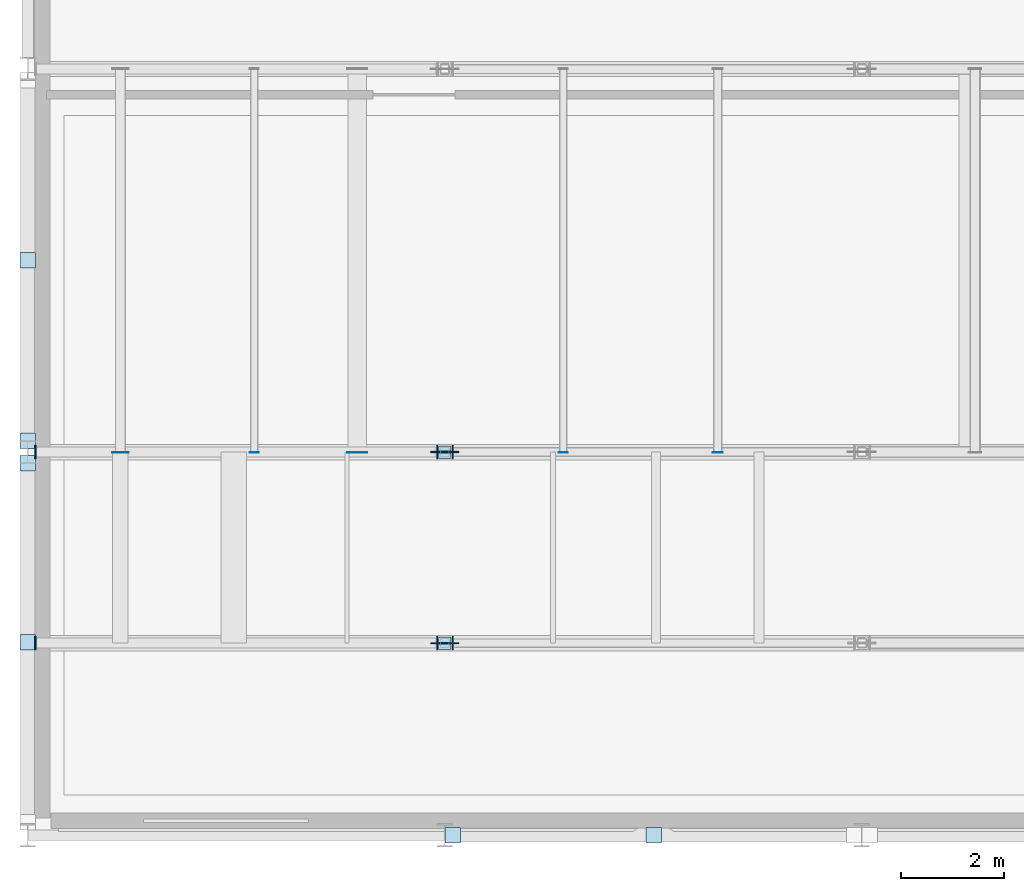
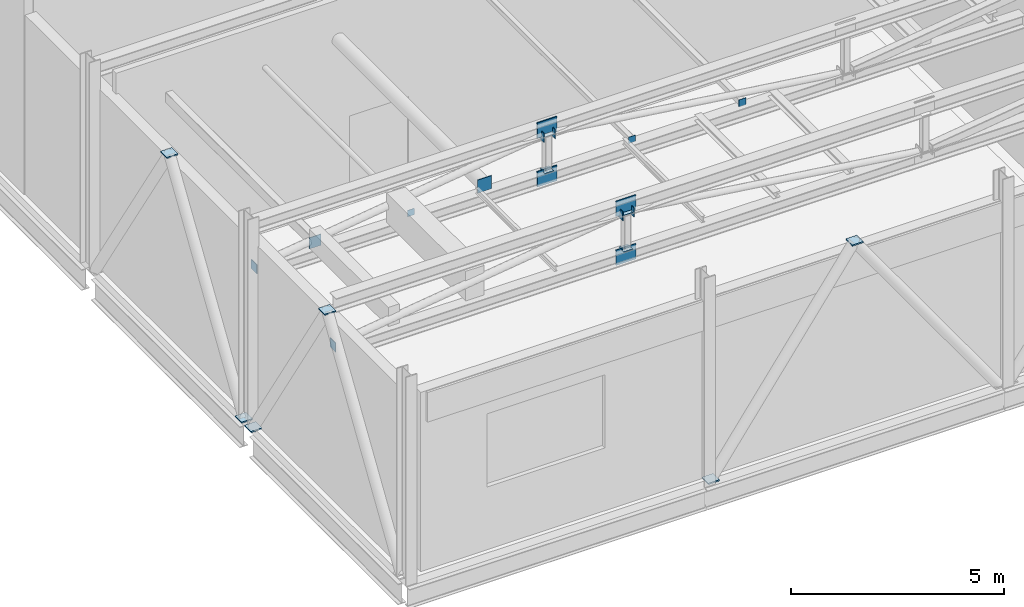
# One storey, part 13 of 21: 25 plates.
"""IFC4 building model written with IfcOpenShell, lengths in metres."""

from ifc_helpers import new_model, si_unit, direction, frame, origin, origin_2d, place, context, subcontext, project, spatial, rectangle, extrude, material, layer, layer_set, type_object, element, save


model = new_model("IFC4")

# Units and contexts
model_context = context("Model", 3, precision=1e-05, world=origin(), true_north=direction((0.0, 1.0)))
body_context = subcontext(model_context, "Body", "Model", "MODEL_VIEW")
ifc_project = project(units=[si_unit("LENGTHUNIT", "METRE"), si_unit("AREAUNIT", "SQUARE_METRE"), si_unit("VOLUMEUNIT", "CUBIC_METRE"), si_unit("PLANEANGLEUNIT", "RADIAN"), si_unit("MASSUNIT", "GRAM", prefix="KILO")], contexts=[model_context])

# Site, building, storey
site_placement = place(None, origin())
site = spatial("IfcSite", under=ifc_project, at=site_placement, CompositionType="ELEMENT")
building_placement = place(site_placement, origin())
building = spatial("IfcBuilding", under=site, at=building_placement, Name="Kaelora Sail Theatre", CompositionType="ELEMENT")
storey_placement = place(building_placement, frame((0.0, 0.0, 27.60009765625)))
storey = spatial("IfcBuildingStorey", under=building, at=storey_placement, Name="L06", CompositionType="ELEMENT", Elevation=27.60009765625)

# Plates
ifc_material_1 = material(Name="Steel S355", Category="steel")
ifc_layer_1 = layer(ifc_material_1, 0.014892578125)
ifc_layer_set_1 = layer_set([ifc_layer_1], Name="Steel S355")
plate_type_1 = type_object("IfcPlateType", Name="STR-PL-EP-15", PredefinedType="SHEET", material=ifc_layer_set_1)
for number, where, z_axis, x_axis, name in (
    (1, (33.89990234375, 64.75, 4.41552734375), (0.0, 0.0, 1.0), (1.0, 0.0, 0.0), "TVT-01 Fly Tower truss 1 vertical strut 1 end cap plate A"),
    (2, (33.89990234375, 64.75, 5.46923828125), (0.0, 0.0, 1.0), (1.0, 0.0, 0.0), "TVT-01 Fly Tower truss 1 vertical strut 1 end cap plate B"),
    (3, (33.89990234375, 68.4599609375, 4.41552734375), (0.0, 0.0, 1.0), (1.0, 0.0, 0.0), "TVT-01 Fly Tower truss 2 vertical strut 1 end cap plate A"),
    (4, (33.89990234375, 68.4599609375, 5.46923828125), (0.0, 0.0, 1.0), (1.0, 0.0, 0.0), "TVT-01 Fly Tower truss 2 vertical strut 1 end cap plate B"),
):
    element("IfcPlate", number, at=place(storey_placement, frame(where, z_axis=z_axis, x_axis=x_axis)), inside=storey, type_object=plate_type_1, Name=name, PredefinedType="SHEET", context=body_context, shape_type="SweptSolid", body=[
        extrude(rectangle(XDim=0.239990234375, YDim=0.239990234375, at=origin_2d()), origin(), (0.0, 0.0, 1.0), 0.014892578125),
    ])
plate_1_placement = place(storey_placement, frame((27.60009765625, 68.453369140625, 4.419921875), z_axis=(0.0, 0.0, 1.0), x_axis=(0.0, 1.0, 0.0)))
element("IfcPlate", 5, at=plate_1_placement, inside=storey, type_object=plate_type_1, Name="HTB-01 Fly Tower headblock tie brace 01 end cap plate A", PredefinedType="SHEET", context=body_context, shape_type="SweptSolid", body=[
    extrude(rectangle(XDim=0.014892578125, YDim=0.320068359375, at=origin_2d()), origin(), (0.0, 0.0, 1.0), 0.320068359375),
])
plate_2_placement = place(storey_placement, frame((30.199951171875, 68.453369140625, 4.40966796875), z_axis=(0.0, 0.0, 1.0), x_axis=(0.0, 1.0, 0.0)))
element("IfcPlate", 6, at=plate_2_placement, inside=storey, type_object=plate_type_1, Name="HTB-01 Fly Tower headblock tie brace 02 end cap plate A", PredefinedType="SHEET", context=body_context, shape_type="SweptSolid", body=[
    extrude(rectangle(XDim=0.014892578125, YDim=0.179931640625, at=origin_2d()), origin(), (0.0, 0.0, 1.0), 0.179931640625),
])
plate_3_placement = place(storey_placement, frame((32.199951171875, 68.453369140625, 4.417724609375), z_axis=(0.0, 0.0, 1.0), x_axis=(0.0, 1.0, 0.0)))
element("IfcPlate", 7, at=plate_3_placement, inside=storey, type_object=plate_type_1, Name="HTB-01 Fly Tower headblock tie brace 03 end cap plate A", PredefinedType="SHEET", context=body_context, shape_type="SweptSolid", body=[
    extrude(rectangle(XDim=0.014892578125, YDim=0.3798828125, at=origin_2d()), origin(), (0.0, 0.0, 1.0), 0.3798828125),
])
plate_4_placement = place(storey_placement, frame((36.199951171875, 68.453369140625, 4.41015625), z_axis=(0.0, 0.0, 1.0), x_axis=(0.0, 1.0, 0.0)))
element("IfcPlate", 8, at=plate_4_placement, inside=storey, type_object=plate_type_1, Name="HTB-01 Fly Tower headblock tie brace 04 end cap plate A", PredefinedType="SHEET", context=body_context, shape_type="SweptSolid", body=[
    extrude(rectangle(XDim=0.014892578125, YDim=0.179931640625, at=origin_2d()), origin(), (0.0, 0.0, 1.0), 0.179931640625),
])
plate_5_placement = place(storey_placement, frame((39.199951171875, 68.453369140625, 4.41015625), z_axis=(0.0, 0.0, 1.0), x_axis=(0.0, 1.0, 0.0)))
element("IfcPlate", 9, at=plate_5_placement, inside=storey, type_object=plate_type_1, Name="HTB-01 Fly Tower headblock tie brace 05 end cap plate A", PredefinedType="SHEET", context=body_context, shape_type="SweptSolid", body=[
    extrude(rectangle(XDim=0.014892578125, YDim=0.199951171875, at=origin_2d()), origin(), (0.0, 0.0, 1.0), 0.199951171875),
])
ifc_material_2 = material(Name="Steel S355", Category="steel")
ifc_layer_2 = layer(ifc_material_2, 0.02001953125)
ifc_layer_set_2 = layer_set([ifc_layer_2], Name="Steel S355")
plate_type_2 = type_object("IfcPlateType", Name="STR-PL-EP-20", PredefinedType="SHEET", material=ifc_layer_set_2)
for number, where, z_axis, x_axis, name in (
    (10, (25.951171875, 64.75, 4.298828125), (0.0, 0.0, 1.0), (1.0, 0.0, 0.0), "TDG-01 Fly Tower truss 1 web diagonal 1 end cap plate A"),
    (11, (33.7490234375, 64.75, 5.34130859375), (0.0, 0.0, 1.0), (1.0, 0.0, 0.0), "TDG-01 Fly Tower truss 1 web diagonal 1 end cap plate B"),
    (12, (34.051025390625, 64.75, 5.34130859375), (0.0, 0.0, 1.0), (1.0, 0.0, 0.0), "TDG-01 Fly Tower truss 1 web diagonal 2 end cap plate A"),
    (13, (25.951171875, 68.4599609375, 4.298828125), (0.0, 0.0, 1.0), (1.0, 0.0, 0.0), "TDG-01 Fly Tower truss 2 web diagonal 1 end cap plate A"),
    (14, (33.7490234375, 68.4599609375, 5.34130859375), (0.0, 0.0, 1.0), (1.0, 0.0, 0.0), "TDG-01 Fly Tower truss 2 web diagonal 1 end cap plate B"),
    (15, (34.051025390625, 68.4599609375, 5.34130859375), (0.0, 0.0, 1.0), (1.0, 0.0, 0.0), "TDG-01 Fly Tower truss 2 web diagonal 2 end cap plate A"),
):
    element("IfcPlate", number, at=place(storey_placement, frame(where, z_axis=z_axis, x_axis=x_axis)), inside=storey, type_object=plate_type_2, Name=name, PredefinedType="SHEET", context=body_context, shape_type="SweptSolid", body=[
        extrude(rectangle(XDim=0.02001953125, YDim=0.260009765625, at=origin_2d()), origin(), (0.0, 0.0, 1.0), 0.260009765625),
    ])
ifc_material_3 = material(Name="Steel S355", Category="steel")
ifc_layer_3 = layer(ifc_material_3, 0.035888671875)
ifc_layer_set_3 = layer_set([ifc_layer_3], Name="Steel S355")
plate_type_3 = type_object("IfcPlateType", Name="STR-PL-EP-36", PredefinedType="SHEET", material=ifc_layer_set_3)
for number, where, z_axis, x_axis, name in (
    (16, (25.800048828125, 64.763671875, 5.46044921875), (0.0, 0.0, 1.0), (1.0, 0.0, 0.0), "Fly Tower chevron brace L06 WS1 end cap plate B"),
    (17, (25.800048828125, 68.23876953125, -0.01171875), (0.0, 0.0, 1.0), (1.0, 0.0, 0.0), "Fly Tower chevron brace L06 WS2 end cap plate A"),
    (18, (25.800048828125, 68.68115234375, -0.01171875), (0.0, 0.0, 1.0), (1.0, 0.0, 0.0), "Fly Tower chevron brace L06 WM1 end cap plate A"),
    (19, (25.800048828125, 72.188720703125, 5.46044921875), (0.0, 0.0, 1.0), (1.0, 0.0, 0.0), "Fly Tower chevron brace L06 WM1 end cap plate B"),
    (20, (34.050537109375, 61.02001953125, -0.01123046875), (0.0, 0.0, 1.0), (1.0, 0.0, 0.0), "Fly Tower south stage-house chevron brace L06 S2-1 end cap plate A"),
    (21, (37.95947265625, 61.02001953125, 5.4599609375), (0.0, 0.0, 1.0), (1.0, 0.0, 0.0), "Fly Tower south stage-house chevron brace L06 S2-1 end cap plate B"),
):
    element("IfcPlate", number, at=place(storey_placement, frame(where, z_axis=z_axis, x_axis=x_axis)), inside=storey, type_object=plate_type_3, Name=name, PredefinedType="SHEET", context=body_context, shape_type="SweptSolid", body=[
        extrude(rectangle(XDim=0.300048828125, YDim=0.300048828125, at=origin_2d()), origin(), (0.0, 0.0, 1.0), 0.035888671875),
    ])
ifc_material_4 = material(Name="Steel S355", Category="steel")
ifc_layer_4 = layer(ifc_material_4, 0.02392578125)
ifc_layer_set_4 = layer_set([ifc_layer_4], Name="Steel S355")
plate_type_4 = type_object("IfcPlateType", Name="STR-PL-GP-24", PredefinedType="USERDEFINED", material=ifc_layer_set_4)
for number, where, z_axis, x_axis, name in (
    (22, (33.89990234375, 64.75, 4.030029296875), (0.0, 0.0, 1.0), (1.0, 0.0, 0.0), "Fly Tower truss node gusset plate T1-N1B"),
    (23, (33.89990234375, 64.75, 5.429931640625), (0.0, 0.0, 1.0), (1.0, 0.0, 0.0), "Fly Tower truss node gusset plate T1-N1T"),
):
    element("IfcPlate", number, at=place(storey_placement, frame(where, z_axis=z_axis, x_axis=x_axis)), inside=storey, type_object=plate_type_4, Name=name, ObjectType="GUSSET PLATE", PredefinedType="USERDEFINED", context=body_context, shape_type="SweptSolid", body=[
        extrude(rectangle(XDim=0.5400390625, YDim=0.02392578125, at=origin_2d()), origin(), (0.0, 0.0, 1.0), 0.43994140625),
    ])
ifc_material_5 = material(Name="Steel S355", Category="steel")
ifc_layer_5 = layer(ifc_material_5, 0.031982421875)
ifc_layer_set_5 = layer_set([ifc_layer_5], Name="Steel S355")
plate_type_5 = type_object("IfcPlateType", Name="STR-PL-GP-32", PredefinedType="USERDEFINED", material=ifc_layer_set_5)
for number, where, z_axis, x_axis, name in (
    (24, (33.89990234375, 68.4599609375, 4.030029296875), (0.0, 0.0, 1.0), (1.0, 0.0, 0.0), "Fly Tower truss node gusset plate T2-N1B"),
    (25, (33.89990234375, 68.4599609375, 5.429931640625), (0.0, 0.0, 1.0), (1.0, 0.0, 0.0), "Fly Tower truss node gusset plate T2-N1T"),
):
    element("IfcPlate", number, at=place(storey_placement, frame(where, z_axis=z_axis, x_axis=x_axis)), inside=storey, type_object=plate_type_5, Name=name, ObjectType="GUSSET PLATE", PredefinedType="USERDEFINED", context=body_context, shape_type="SweptSolid", body=[
        extrude(rectangle(XDim=0.5400390625, YDim=0.031982421875, at=origin_2d()), origin(), (0.0, 0.0, 1.0), 0.43994140625),
    ])

save(model, "model.ifc")
